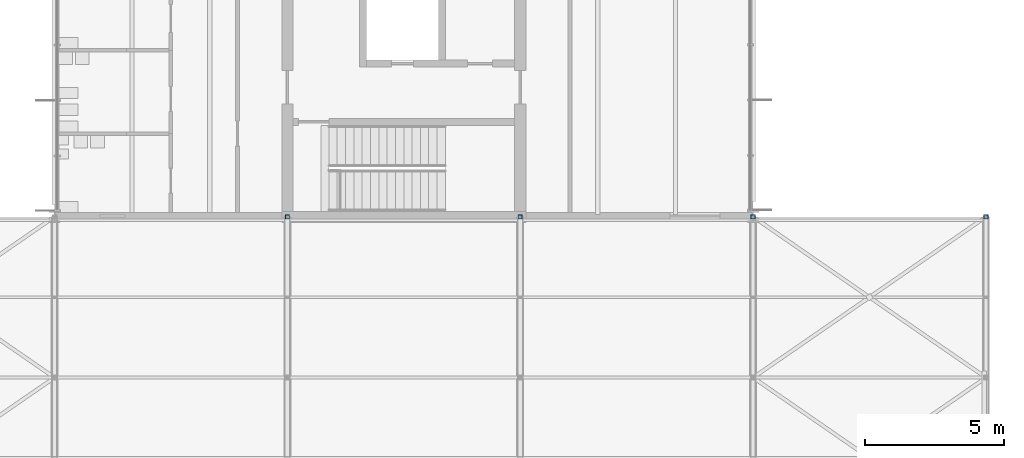
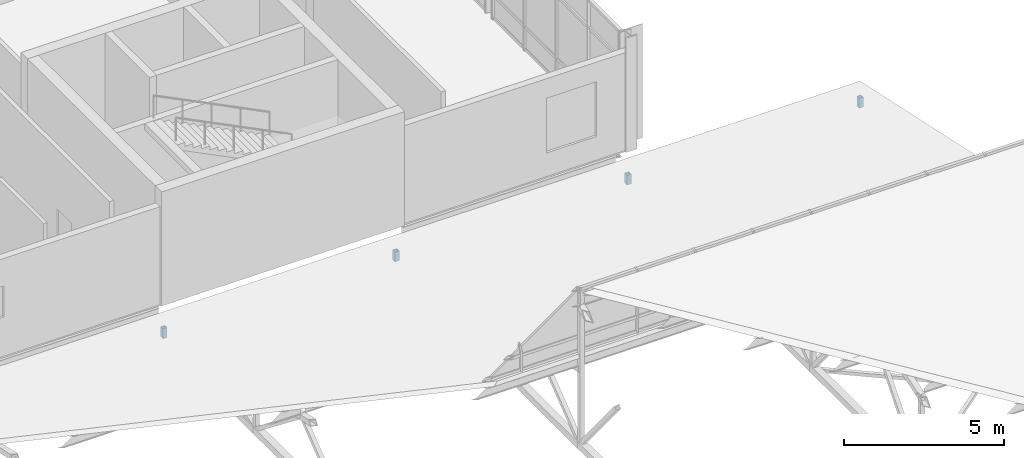
# One storey, part 38 of 89: 4 members.
"""IFC4 building model written with IfcOpenShell, lengths in metres."""

from ifc_helpers import new_model, si_unit, direction, frame, origin, origin_2d, place, context, subcontext, project, spatial, hollow_rectangle, extrude, material, material_profile, profile_set, type_object, element, save


model = new_model("IFC4")

# Units and contexts
model_context = context("Model", 3, precision=1e-05, world=origin(), true_north=direction((0.0, 1.0)))
body_context = subcontext(model_context, "Body", "Model", "MODEL_VIEW")
ifc_project = project(units=[si_unit("LENGTHUNIT", "METRE"), si_unit("AREAUNIT", "SQUARE_METRE"), si_unit("VOLUMEUNIT", "CUBIC_METRE"), si_unit("PLANEANGLEUNIT", "RADIAN"), si_unit("MASSUNIT", "GRAM", prefix="KILO")], contexts=[model_context])

# Site, building, storey
site_placement = place(None, origin())
site = spatial("IfcSite", under=ifc_project, at=site_placement, CompositionType="ELEMENT")
building_placement = place(site_placement, origin())
building = spatial("IfcBuilding", under=site, at=building_placement, Name="Hlaing Beacon Police Headquarters", CompositionType="ELEMENT")
storey_placement = place(building_placement, frame((0.0, 0.0, 9.89990234375)))
storey = spatial("IfcBuildingStorey", under=building, at=storey_placement, Name="L02", CompositionType="ELEMENT", Elevation=9.89990234375)

# Members
ifc_material = material(Name="Steel ASTM A500 Grade C", Category="steel")
ifc_material_profile = material_profile(ifc_material, hollow_rectangle(XDim=0.15234375, YDim=0.15234375, WallThickness=0.0126953125, at=origin_2d()), Name="HSS6x6x1/2")
ifc_profile_set = profile_set([ifc_material_profile], Name="Steel ASTM A500 Grade C")
member_type = type_object("IfcMemberType", Name="Truss post HSS6x6x1/2", PredefinedType="POST", material=ifc_profile_set)
for number, where, z_axis, x_axis, name in (
    (1, (109.199951171875, 33.60009765625, -1.372802734375), (0.0, 0.0, 1.0), (1.0, 0.0, 0.0), "STR-RT-V3-T3-PS05"),
    (2, (117.60009765625, 33.60009765625, -1.372802734375), (0.0, 0.0, 1.0), (1.0, 0.0, 0.0), "STR-RT-V3-T4-PS05"),
    (3, (126.0, 33.60009765625, -1.372802734375), (0.0, 0.0, 1.0), (1.0, 0.0, 0.0), "STR-RT-V3-T5-PS05"),
    (4, (134.39990234375, 33.60009765625, -1.372802734375), (0.0, 0.0, 1.0), (1.0, 0.0, 0.0), "STR-RT-V3-T6-PS05"),
):
    element("IfcMember", number, at=place(storey_placement, frame(where, z_axis=z_axis, x_axis=x_axis)), inside=storey, type_object=member_type, Name=name, PredefinedType="POST", context=body_context, shape_type="SweptSolid", body=[
        extrude(hollow_rectangle(XDim=0.15234375, YDim=0.15234375, WallThickness=0.0126953125, at=origin_2d()), origin(), (0.0, 0.0, 1.0), 0.381103515625),
    ])

save(model, "model.ifc")
